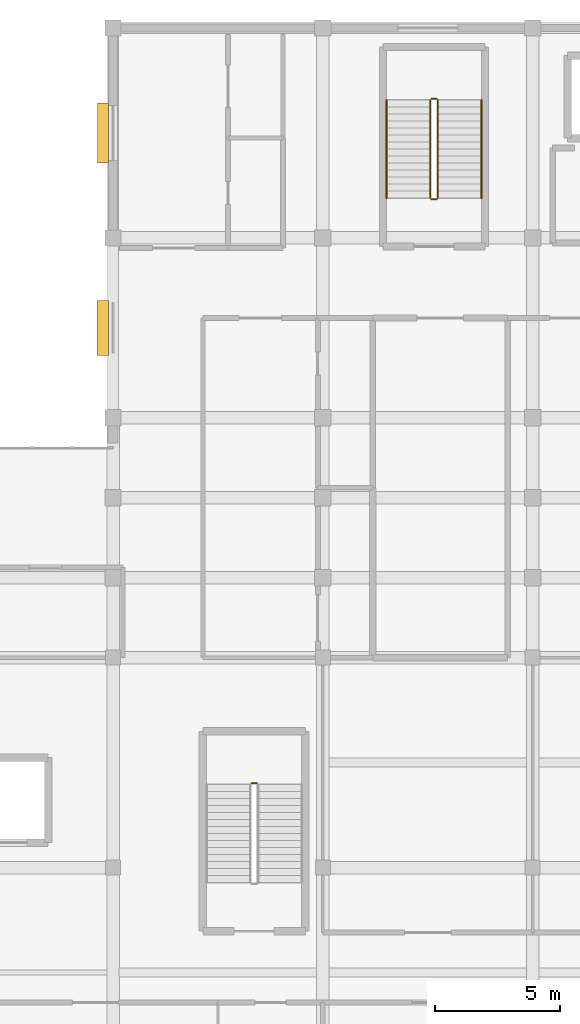
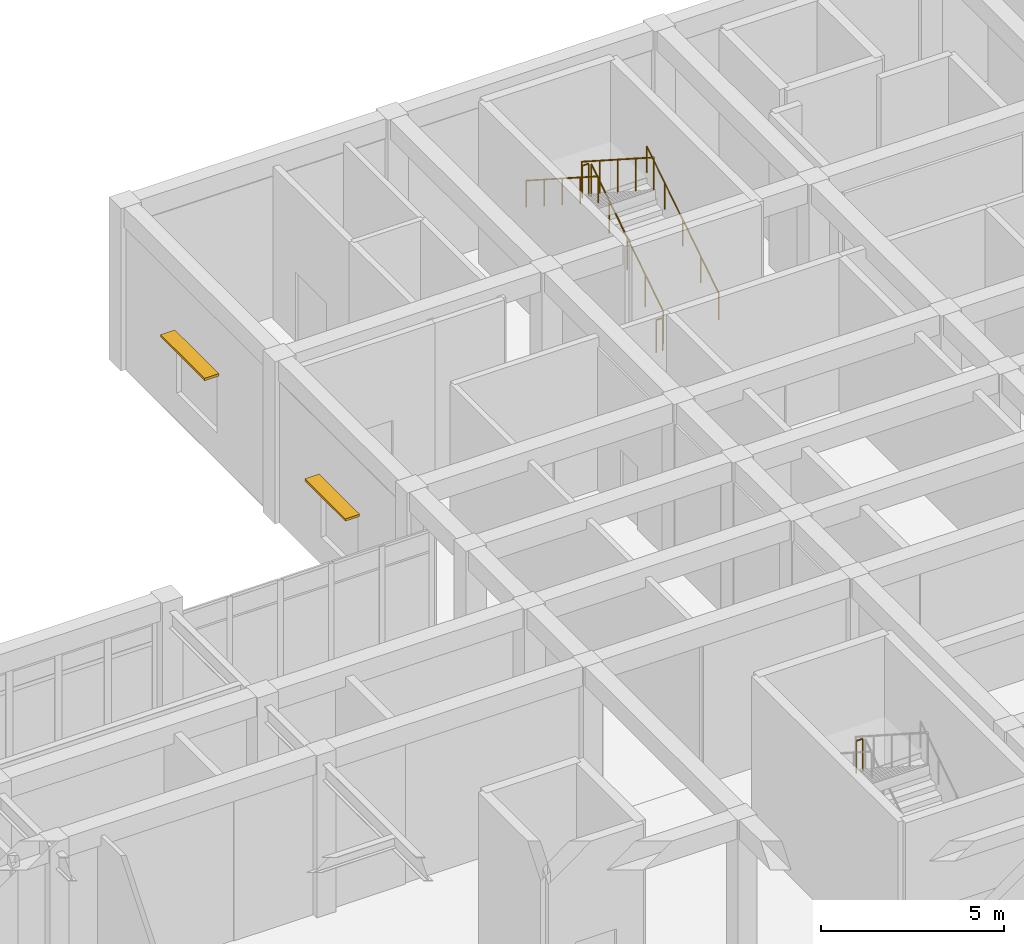
# One storey, part 82 of 89: 7 railings, 2 shading devices.
"""IFC4 building model written with IfcOpenShell, lengths in metres."""

from ifc_helpers import new_model, si_unit, direction, frame, origin, origin_2d, place, context, subcontext, project, spatial, rectangle, circle, extrude, material, layer, layer_set, type_object, element, save


model = new_model("IFC4")

# Units and contexts
model_context = context("Model", 3, precision=1e-05, world=origin(), true_north=direction((0.0, 1.0)))
body_context = subcontext(model_context, "Body", "Model", "MODEL_VIEW")
ifc_project = project(units=[si_unit("LENGTHUNIT", "METRE"), si_unit("AREAUNIT", "SQUARE_METRE"), si_unit("VOLUMEUNIT", "CUBIC_METRE"), si_unit("PLANEANGLEUNIT", "RADIAN"), si_unit("MASSUNIT", "GRAM", prefix="KILO")], contexts=[model_context])

# Site, building, storey
site_placement = place(None, origin())
site = spatial("IfcSite", under=ifc_project, at=site_placement, CompositionType="ELEMENT")
building_placement = place(site_placement, origin())
building = spatial("IfcBuilding", under=site, at=building_placement, Name="Varncliffe General Hospital", CompositionType="ELEMENT")
storey_placement = place(building_placement, frame((0.0, 0.0, 10.800048828125)))
storey = spatial("IfcBuildingStorey", under=building, at=storey_placement, Name="L02", CompositionType="ELEMENT", Elevation=10.800048828125)

# Shading devices
ifc_material_1 = material(Name="Dark bronze extruded aluminium solar jalousie louvres", Category="aluminium")
ifc_layer = layer(ifc_material_1, 0.080078125)
ifc_layer_set = layer_set([ifc_layer], Name="Dark bronze extruded aluminium solar jalousie louvres")
shading_device_type = type_object("IfcShadingDeviceType", Name="Bronze Solar Jalousie Louvre Hood SHD18", PredefinedType="JALOUSIE", material=ifc_layer_set)
shading_device_1_placement = place(storey_placement, frame((108.784912109375, 112.800048828125, 2.85986328125), z_axis=(0.0, 0.0, 1.0), x_axis=(0.0, 1.0, 0.0)))
element("IfcShadingDevice", 1, at=shading_device_1_placement, inside=storey, type_object=shading_device_type, Name="L02 Bronze Window Sun-Shading Louvre 47", PredefinedType="JALOUSIE", context=body_context, shape_type="SweptSolid", body=[
    extrude(rectangle(XDim=2.199951171875, YDim=0.449951171875, at=origin_2d()), origin(), (0.0, 0.0, 1.0), 0.080078125),
])
shading_device_2_placement = place(storey_placement, frame((108.800048828125, 120.60009765625, 2.85986328125), z_axis=(0.0, 0.0, 1.0), x_axis=(0.0, 1.0, 0.0)))
element("IfcShadingDevice", 2, at=shading_device_2_placement, inside=storey, type_object=shading_device_type, Name="L02 Bronze Window Sun-Shading Louvre 48", PredefinedType="JALOUSIE", context=body_context, shape_type="SweptSolid", body=[
    extrude(rectangle(XDim=2.39990234375, YDim=0.449951171875, at=origin_2d()), origin(), (0.0, 0.0, 1.0), 0.080078125),
])

# Railings
ifc_material_2 = material(Name="Powder-coated hospital steel guardrail and handrail", Category="steel")
railing_type_1 = type_object("IfcRailingType", Name="Stair and Ramp Handrail HR46", PredefinedType="HANDRAIL", material=ifc_material_2)
railing_1_placement = place(storey_placement, frame((123.949951171875, 118.0, 0.364013671875)))
element("IfcRailing", 3, at=railing_1_placement, inside=storey, type_object=railing_type_1, Name="L02 ST03 stair handrail 1", PredefinedType="HANDRAIL", context=body_context, shape_type="SweptSolid", body=[
    extrude(circle(Radius=0.02392578125, at=origin_2d()), frame((0.0, 0.0, 0.8759765625), z_axis=(0.0, 0.841171666519, 0.540768182723), x_axis=(-1.0, 0.0, 0.0)), (0.0, 0.0, 1.0), 4.66015625),
    extrude(circle(Radius=0.02099609375, at=origin_2d()), origin(), (0.0, 0.0, 1.0), 0.851806640625),
    extrude(circle(Radius=0.02099609375, at=origin_2d()), frame((0.0, 0.97998046875, 0.6298828125)), (0.0, 0.0, 1.0), 0.851806640625),
    extrude(circle(Radius=0.02099609375, at=origin_2d()), frame((0.0, 1.9599609375, 1.260009765625)), (0.0, 0.0, 1.0), 0.851806640625),
    extrude(circle(Radius=0.02099609375, at=origin_2d()), frame((0.0, 2.93994140625, 1.89013671875)), (0.0, 0.0, 1.0), 0.851806640625),
    extrude(circle(Radius=0.02099609375, at=origin_2d()), frame((0.0, 3.919921875, 2.52001953125)), (0.0, 0.0, 1.0), 0.851806640625),
])
railing_2_placement = place(storey_placement, frame((120.14990234375, 121.919921875, 3.06396484375)))
element("IfcRailing", 4, at=railing_2_placement, inside=storey, type_object=railing_type_1, Name="L02 ST03 stair handrail 2", PredefinedType="HANDRAIL", context=body_context, shape_type="SweptSolid", body=[
    extrude(circle(Radius=0.02392578125, at=origin_2d()), frame((0.0, 0.0, 0.8759765625), z_axis=(0.0, -0.841171666519, 0.540768182723), x_axis=(1.0, 0.0, 0.0)), (0.0, 0.0, 1.0), 4.66015625),
    extrude(circle(Radius=0.02099609375, at=origin_2d()), origin(), (0.0, 0.0, 1.0), 0.851806640625),
    extrude(circle(Radius=0.02099609375, at=origin_2d()), frame((0.0, -0.97998046875, 0.6298828125)), (0.0, 0.0, 1.0), 0.851806640625),
    extrude(circle(Radius=0.02099609375, at=origin_2d()), frame((0.0, -1.9599609375, 1.260009765625)), (0.0, 0.0, 1.0), 0.851806640625),
    extrude(circle(Radius=0.02099609375, at=origin_2d()), frame((0.0, -2.93994140625, 1.89013671875)), (0.0, 0.0, 1.0), 0.851806640625),
    extrude(circle(Radius=0.02099609375, at=origin_2d()), frame((0.0, -3.919921875, 2.52001953125)), (0.0, 0.0, 1.0), 0.851806640625),
])
railing_type_2 = type_object("IfcRailingType", Name="Stairwell Guardrail SG49", PredefinedType="GUARDRAIL", material=ifc_material_2)
railing_3_placement = place(storey_placement, frame((122.199951171875, 118.0, 0.179931640625)))
element("IfcRailing", 5, at=railing_3_placement, inside=storey, type_object=railing_type_2, Name="L02 ST03 stair guard 1", PredefinedType="GUARDRAIL", context=body_context, shape_type="SweptSolid", body=[
    extrude(circle(Radius=0.02392578125, at=origin_2d()), frame((0.0, 0.0, 1.076171875), z_axis=(0.0, 0.841171666519, 0.540768182723), x_axis=(-1.0, 0.0, 0.0)), (0.0, 0.0, 1.0), 4.66015625),
    extrude(circle(Radius=0.02099609375, at=origin_2d()), origin(), (0.0, 0.0, 1.0), 1.052001953125),
    extrude(circle(Radius=0.02099609375, at=origin_2d()), frame((0.0, 0.97998046875, 0.6298828125)), (0.0, 0.0, 1.0), 1.052001953125),
    extrude(circle(Radius=0.02099609375, at=origin_2d()), frame((0.0, 1.9599609375, 1.260009765625)), (0.0, 0.0, 1.0), 1.052001953125),
    extrude(circle(Radius=0.02099609375, at=origin_2d()), frame((0.0, 2.93994140625, 1.89013671875)), (0.0, 0.0, 1.0), 1.052001953125),
    extrude(circle(Radius=0.02099609375, at=origin_2d()), frame((0.0, 3.919921875, 2.52001953125)), (0.0, 0.0, 1.0), 1.052001953125),
])
railing_4_placement = place(storey_placement, frame((122.14990234375, 121.969970703125, 2.699951171875)))
element("IfcRailing", 6, at=railing_4_placement, inside=storey, type_object=railing_type_2, Name="L02 ST03 stair guard 2", PredefinedType="GUARDRAIL", context=body_context, shape_type="SweptSolid", body=[
    extrude(circle(Radius=0.02392578125, at=origin_2d()), frame((0.0, 0.0, 1.076171875), z_axis=(-1.0, 0.0, 0.0), x_axis=(0.0, -1.0, 0.0)), (0.0, 0.0, 1.0), 0.199951171875),
    extrude(circle(Radius=0.02099609375, at=origin_2d()), origin(), (0.0, 0.0, 1.0), 1.052001953125),
    extrude(circle(Radius=0.02099609375, at=origin_2d()), frame((-0.199951171875, 0.0, 0.0)), (0.0, 0.0, 1.0), 1.052001953125),
])
railing_5_placement = place(storey_placement, frame((121.89990234375, 121.919921875, 2.8798828125)))
element("IfcRailing", 7, at=railing_5_placement, inside=storey, type_object=railing_type_2, Name="L02 ST03 stair guard 3", PredefinedType="GUARDRAIL", context=body_context, shape_type="SweptSolid", body=[
    extrude(circle(Radius=0.02392578125, at=origin_2d()), frame((0.0, 0.0, 1.076171875), z_axis=(0.0, -0.841171666519, 0.540768182723), x_axis=(1.0, 0.0, 0.0)), (0.0, 0.0, 1.0), 4.66015625),
    extrude(circle(Radius=0.02099609375, at=origin_2d()), origin(), (0.0, 0.0, 1.0), 1.052001953125),
    extrude(circle(Radius=0.02099609375, at=origin_2d()), frame((0.0, -0.97998046875, 0.6298828125)), (0.0, 0.0, 1.0), 1.052001953125),
    extrude(circle(Radius=0.02099609375, at=origin_2d()), frame((0.0, -1.9599609375, 1.260009765625)), (0.0, 0.0, 1.0), 1.052001953125),
    extrude(circle(Radius=0.02099609375, at=origin_2d()), frame((0.0, -2.93994140625, 1.89013671875)), (0.0, 0.0, 1.0), 1.052001953125),
    extrude(circle(Radius=0.02099609375, at=origin_2d()), frame((0.0, -3.919921875, 2.52001953125)), (0.0, 0.0, 1.0), 1.052001953125),
])
for number, where, name in (
    (8, (122.14990234375, 117.949951171875, 0.0), "L02 ST03 stair guard 4"),
    (9, (114.949951171875, 94.570068359375, 2.699951171875), "L02 ST06 stair guard 2"),
):
    element("IfcRailing", number, at=place(storey_placement, frame(where)), inside=storey, type_object=railing_type_2, Name=name, PredefinedType="GUARDRAIL", context=body_context, shape_type="SweptSolid", body=[
        extrude(circle(Radius=0.02392578125, at=origin_2d()), frame((0.0, 0.0, 1.076171875), z_axis=(-1.0, 0.0, 0.0), x_axis=(0.0, -1.0, 0.0)), (0.0, 0.0, 1.0), 0.199951171875),
        extrude(circle(Radius=0.02099609375, at=origin_2d()), origin(), (0.0, 0.0, 1.0), 1.052001953125),
        extrude(circle(Radius=0.02099609375, at=origin_2d()), frame((-0.199951171875, 0.0, 0.0)), (0.0, 0.0, 1.0), 1.052001953125),
    ])

save(model, "model.ifc")
